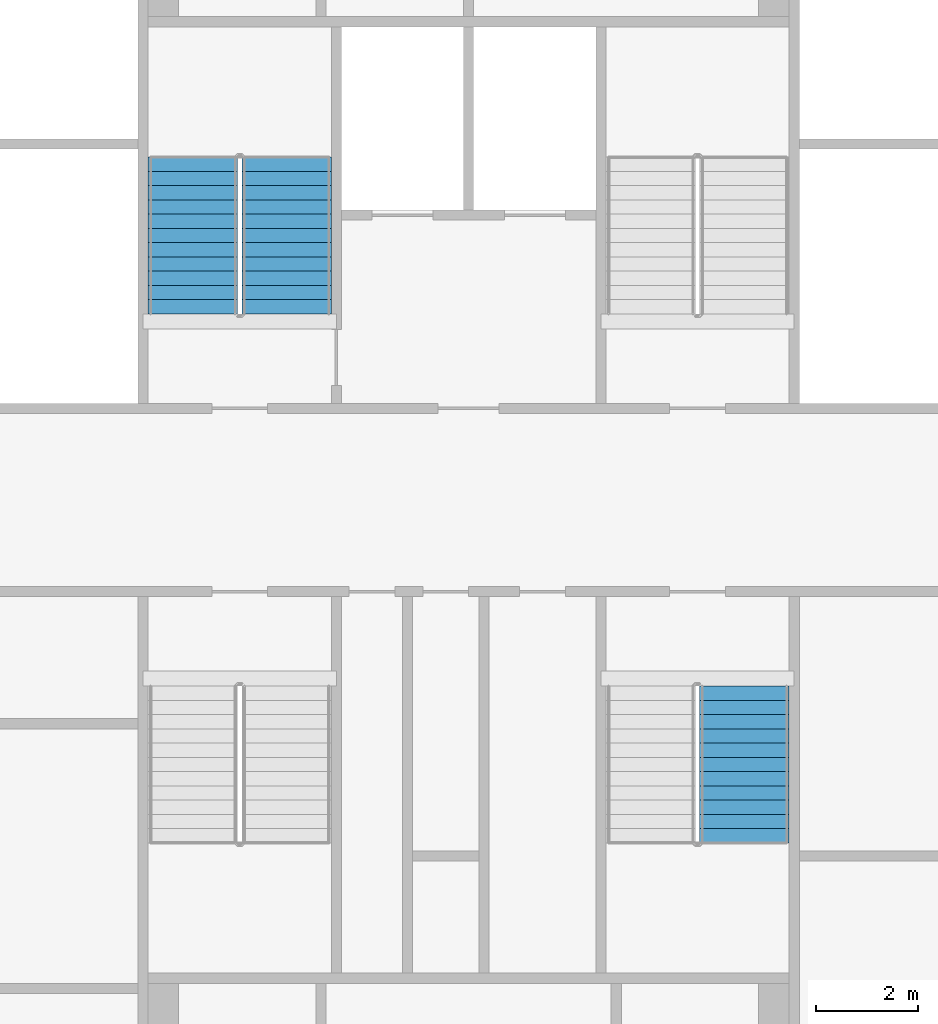
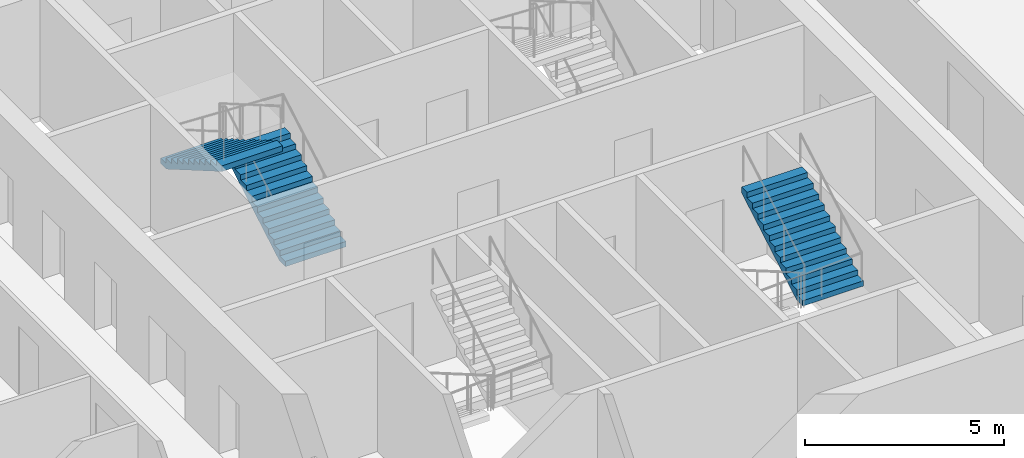
# One storey, part 9 of 15: 3 stair flights, 2 elements without a shape of their own.
"""IFC4 building model written with IfcOpenShell, lengths in metres."""

from ifc_helpers import new_model, si_unit, direction, frame, origin, place, context, subcontext, project, spatial, faceted_brep, material, type_object, element, aggregate, save


model = new_model("IFC4")

# Units and contexts
model_context = context("Model", 3, precision=1e-05, world=origin(), true_north=direction((0.0, 1.0)))
body_context = subcontext(model_context, "Body", "Model", "MODEL_VIEW")
ifc_project = project(units=[si_unit("LENGTHUNIT", "METRE"), si_unit("AREAUNIT", "SQUARE_METRE"), si_unit("VOLUMEUNIT", "CUBIC_METRE"), si_unit("PLANEANGLEUNIT", "RADIAN"), si_unit("MASSUNIT", "GRAM", prefix="KILO")], contexts=[model_context])

# Site, building, storey
site_placement = place(None, origin())
site = spatial("IfcSite", under=ifc_project, at=site_placement, CompositionType="ELEMENT")
building_placement = place(site_placement, origin())
building = spatial("IfcBuilding", under=site, at=building_placement, Name="Tarsis Ring Headquarters", CompositionType="ELEMENT")
storey_placement = place(building_placement, frame((0.0, 0.0, 282.5)))
storey = spatial("IfcBuildingStorey", under=building, at=storey_placement, Name="L66", CompositionType="ELEMENT", Elevation=282.5)

# Stair, stair flights
ifc_material_1 = material(Name="Core stair 1760")
stair_type = type_object("IfcStairType", Name="Core stair 1760", PredefinedType="HALF_TURN_STAIR", material=ifc_material_1)
stair_1_placement = place(storey_placement, origin())
stair_1 = element("IfcStair", 1, at=stair_1_placement, inside=storey, type_object=stair_type, Name="L66 Firefighting stair", PredefinedType="HALF_TURN_STAIR")
ifc_material_2 = material(Name="Concrete C40/50", Category="concrete")
stair_flight_type = type_object("IfcStairFlightType", Name="Core stair flight 1760", PredefinedType="STRAIGHT", material=ifc_material_2)
stair_flight_1_placement = place(storey_placement, frame((-3.580078125, 3.659912109375, 0.0), z_axis=(0.0, 0.0, 1.0), x_axis=(0.0, 1.0, 0.0)))
stair_flight_1 = element("IfcStairFlight", 2, at=stair_flight_1_placement, type_object=stair_flight_type, Name="Stair ST1 flight 1", NumberOfRisers=12, NumberOfTreads=11, PredefinedType="STRAIGHT", RiserHeight=0.1625, TreadLength=0.28, context=body_context, shape_type="Brep", body=[
    faceted_brep([(0.0, 0.8798828125, 0.0), (0.0, 0.8798828125, 0.16259765625), (0.280029296875, 0.8798828125, 0.16259765625), (0.280029296875, 0.8798828125, 0.324951171875), (0.56005859375, 0.8798828125, 0.324951171875), (0.56005859375, 0.8798828125, 0.487548828125), (0.840087890625, 0.8798828125, 0.487548828125), (0.840087890625, 0.8798828125, 0.64990234375), (1.1201171875, 0.8798828125, 0.64990234375), (1.1201171875, 0.8798828125, 0.8125), (1.39990234375, 0.8798828125, 0.8125), (1.39990234375, 0.8798828125, 0.97509765625), (1.679931640625, 0.8798828125, 0.97509765625), (1.679931640625, 0.8798828125, 1.137451171875), (1.9599609375, 0.8798828125, 1.137451171875), (1.9599609375, 0.8798828125, 1.300048828125), (2.239990234375, 0.8798828125, 1.300048828125), (2.239990234375, 0.8798828125, 1.46240234375), (2.52001953125, 0.8798828125, 1.46240234375), (2.52001953125, 0.8798828125, 1.625), (2.800048828125, 0.8798828125, 1.625), (2.800048828125, 0.8798828125, 1.78759765625), (3.080078125, 0.8798828125, 1.78759765625), (3.080078125, 0.8798828125, 1.6142578125), (0.298583984375, 0.8798828125, 0.0), (0.298583984375, -0.8798828125, 0.0), (3.080078125, -0.8798828125, 1.6142578125), (3.080078125, -0.8798828125, 1.78759765625), (2.800048828125, -0.8798828125, 1.78759765625), (2.800048828125, -0.8798828125, 1.625), (2.52001953125, -0.8798828125, 1.625), (2.52001953125, -0.8798828125, 1.46240234375), (2.239990234375, -0.8798828125, 1.46240234375), (2.239990234375, -0.8798828125, 1.300048828125), (1.9599609375, -0.8798828125, 1.300048828125), (1.9599609375, -0.8798828125, 1.137451171875), (1.679931640625, -0.8798828125, 1.137451171875), (1.679931640625, -0.8798828125, 0.97509765625), (1.39990234375, -0.8798828125, 0.97509765625), (1.39990234375, -0.8798828125, 0.8125), (1.1201171875, -0.8798828125, 0.8125), (1.1201171875, -0.8798828125, 0.64990234375), (0.840087890625, -0.8798828125, 0.64990234375), (0.840087890625, -0.8798828125, 0.487548828125), (0.56005859375, -0.8798828125, 0.487548828125), (0.56005859375, -0.8798828125, 0.324951171875), (0.280029296875, -0.8798828125, 0.324951171875), (0.280029296875, -0.8798828125, 0.16259765625), (0.0, -0.8798828125, 0.16259765625), (0.0, -0.8798828125, 0.0), (0.0, -0.43994140625, 0.16259765625), (0.0, -0.43994140625, 0.0), (0.0, 0.0, 0.16259765625), (0.0, 0.0, 0.0), (0.0, 0.43994140625, 0.16259765625), (0.0, 0.43994140625, 0.0), (0.280029296875, -0.43994140625, 0.16259765625), (0.280029296875, 0.0, 0.16259765625), (0.280029296875, 0.43994140625, 0.16259765625), (0.280029296875, -0.43994140625, 0.324951171875), (0.280029296875, 0.0, 0.324951171875), (0.280029296875, 0.43994140625, 0.324951171875), (0.56005859375, -0.43994140625, 0.324951171875), (0.56005859375, 0.0, 0.324951171875), (0.56005859375, 0.43994140625, 0.324951171875), (0.56005859375, -0.43994140625, 0.487548828125), (0.56005859375, 0.0, 0.487548828125), (0.56005859375, 0.43994140625, 0.487548828125), (0.840087890625, -0.43994140625, 0.487548828125), (0.840087890625, 0.0, 0.487548828125), (0.840087890625, 0.43994140625, 0.487548828125), (0.840087890625, -0.43994140625, 0.64990234375), (0.840087890625, 0.0, 0.64990234375), (0.840087890625, 0.43994140625, 0.64990234375), (1.1201171875, -0.43994140625, 0.64990234375), (1.1201171875, 0.0, 0.64990234375), (1.1201171875, 0.43994140625, 0.64990234375), (1.1201171875, -0.43994140625, 0.8125), (1.1201171875, 0.0, 0.8125), (1.1201171875, 0.43994140625, 0.8125), (1.39990234375, -0.43994140625, 0.8125), (1.39990234375, 0.0, 0.8125), (1.39990234375, 0.43994140625, 0.8125), (1.39990234375, -0.43994140625, 0.97509765625), (1.39990234375, 0.0, 0.97509765625), (1.39990234375, 0.43994140625, 0.97509765625), (1.679931640625, -0.43994140625, 0.97509765625), (1.679931640625, 0.0, 0.97509765625), (1.679931640625, 0.43994140625, 0.97509765625), (1.679931640625, -0.43994140625, 1.137451171875), (1.679931640625, 0.0, 1.137451171875), (1.679931640625, 0.43994140625, 1.137451171875), (1.9599609375, -0.43994140625, 1.137451171875), (1.9599609375, 0.0, 1.137451171875), (1.9599609375, 0.43994140625, 1.137451171875), (1.9599609375, -0.43994140625, 1.300048828125), (1.9599609375, 0.0, 1.300048828125), (1.9599609375, 0.43994140625, 1.300048828125), (2.239990234375, -0.43994140625, 1.300048828125), (2.239990234375, 0.0, 1.300048828125), (2.239990234375, 0.43994140625, 1.300048828125), (2.239990234375, -0.43994140625, 1.46240234375), (2.239990234375, 0.0, 1.46240234375), (2.239990234375, 0.43994140625, 1.46240234375), (2.52001953125, -0.43994140625, 1.46240234375), (2.52001953125, 0.0, 1.46240234375), (2.52001953125, 0.43994140625, 1.46240234375), (2.52001953125, -0.43994140625, 1.625), (2.52001953125, 0.0, 1.625), (2.52001953125, 0.43994140625, 1.625), (2.800048828125, -0.43994140625, 1.625), (2.800048828125, 0.0, 1.625), (2.800048828125, 0.43994140625, 1.625), (2.800048828125, -0.43994140625, 1.78759765625), (2.800048828125, 0.0, 1.78759765625), (2.800048828125, 0.43994140625, 1.78759765625), (3.080078125, -0.43994140625, 1.78759765625), (3.080078125, 0.0, 1.78759765625), (3.080078125, 0.43994140625, 1.78759765625), (3.080078125, -0.43994140625, 1.6142578125), (3.080078125, 0.0, 1.6142578125), (3.080078125, 0.43994140625, 1.6142578125), (0.298583984375, -0.43994140625, 0.0), (0.298583984375, 0.0, 0.0), (0.298583984375, 0.43994140625, 0.0)], [[[0, 1, 2, 3, 4, 5, 6, 7, 8, 9, 10, 11, 12, 13, 14, 15, 16, 17, 18, 19, 20, 21, 22, 23, 24]], [[25, 26, 27, 28, 29, 30, 31, 32, 33, 34, 35, 36, 37, 38, 39, 40, 41, 42, 43, 44, 45, 46, 47, 48, 49]], [[49, 48, 50, 51]], [[51, 50, 52, 53]], [[53, 52, 54, 55]], [[55, 54, 1, 0]], [[48, 47, 56, 50]], [[50, 56, 57, 52]], [[52, 57, 58, 54]], [[54, 58, 2, 1]], [[47, 46, 59, 56]], [[56, 59, 60, 57]], [[57, 60, 61, 58]], [[58, 61, 3, 2]], [[46, 45, 62, 59]], [[59, 62, 63, 60]], [[60, 63, 64, 61]], [[61, 64, 4, 3]], [[45, 44, 65, 62]], [[62, 65, 66, 63]], [[63, 66, 67, 64]], [[64, 67, 5, 4]], [[44, 43, 68, 65]], [[65, 68, 69, 66]], [[66, 69, 70, 67]], [[67, 70, 6, 5]], [[43, 42, 71, 68]], [[68, 71, 72, 69]], [[69, 72, 73, 70]], [[70, 73, 7, 6]], [[42, 41, 74, 71]], [[71, 74, 75, 72]], [[72, 75, 76, 73]], [[73, 76, 8, 7]], [[41, 40, 77, 74]], [[74, 77, 78, 75]], [[75, 78, 79, 76]], [[76, 79, 9, 8]], [[40, 39, 80, 77]], [[77, 80, 81, 78]], [[78, 81, 82, 79]], [[79, 82, 10, 9]], [[39, 38, 83, 80]], [[80, 83, 84, 81]], [[81, 84, 85, 82]], [[82, 85, 11, 10]], [[38, 37, 86, 83]], [[83, 86, 87, 84]], [[84, 87, 88, 85]], [[85, 88, 12, 11]], [[37, 36, 89, 86]], [[86, 89, 90, 87]], [[87, 90, 91, 88]], [[88, 91, 13, 12]], [[36, 35, 92, 89]], [[89, 92, 93, 90]], [[90, 93, 94, 91]], [[91, 94, 14, 13]], [[35, 34, 95, 92]], [[92, 95, 96, 93]], [[93, 96, 97, 94]], [[94, 97, 15, 14]], [[34, 33, 98, 95]], [[95, 98, 99, 96]], [[96, 99, 100, 97]], [[97, 100, 16, 15]], [[33, 32, 101, 98]], [[98, 101, 102, 99]], [[99, 102, 103, 100]], [[100, 103, 17, 16]], [[32, 31, 104, 101]], [[101, 104, 105, 102]], [[102, 105, 106, 103]], [[103, 106, 18, 17]], [[31, 30, 107, 104]], [[104, 107, 108, 105]], [[105, 108, 109, 106]], [[106, 109, 19, 18]], [[30, 29, 110, 107]], [[107, 110, 111, 108]], [[108, 111, 112, 109]], [[109, 112, 20, 19]], [[29, 28, 113, 110]], [[110, 113, 114, 111]], [[111, 114, 115, 112]], [[112, 115, 21, 20]], [[28, 27, 116, 113]], [[113, 116, 117, 114]], [[114, 117, 118, 115]], [[115, 118, 22, 21]], [[27, 26, 119, 116]], [[116, 119, 120, 117]], [[117, 120, 121, 118]], [[118, 121, 23, 22]], [[26, 25, 122, 119]], [[119, 122, 123, 120]], [[120, 123, 124, 121]], [[121, 124, 24, 23]], [[25, 49, 51, 122]], [[122, 51, 53, 123]], [[123, 53, 55, 124]], [[124, 55, 0, 24]]]),
])
stair_flight_2_placement = place(storey_placement, frame((-5.419921875, 6.739990234375, 1.949951171875), z_axis=(0.0, 0.0, 1.0), x_axis=(0.0, -1.0, 0.0)))
stair_flight_2 = element("IfcStairFlight", 3, at=stair_flight_2_placement, type_object=stair_flight_type, Name="Stair ST1 flight 2", NumberOfRisers=12, NumberOfTreads=11, PredefinedType="STRAIGHT", RiserHeight=0.1625, TreadLength=0.28, context=body_context, shape_type="Brep", body=[
    faceted_brep([(0.0, 0.8798828125, 0.0), (0.0, 0.8798828125, 0.16259765625), (0.280029296875, 0.8798828125, 0.16259765625), (0.280029296875, 0.8798828125, 0.324951171875), (0.56005859375, 0.8798828125, 0.324951171875), (0.56005859375, 0.8798828125, 0.487548828125), (0.840087890625, 0.8798828125, 0.487548828125), (0.840087890625, 0.8798828125, 0.64990234375), (1.1201171875, 0.8798828125, 0.64990234375), (1.1201171875, 0.8798828125, 0.8125), (1.39990234375, 0.8798828125, 0.8125), (1.39990234375, 0.8798828125, 0.97509765625), (1.679931640625, 0.8798828125, 0.97509765625), (1.679931640625, 0.8798828125, 1.137451171875), (1.9599609375, 0.8798828125, 1.137451171875), (1.9599609375, 0.8798828125, 1.300048828125), (2.239990234375, 0.8798828125, 1.300048828125), (2.239990234375, 0.8798828125, 1.46240234375), (2.52001953125, 0.8798828125, 1.46240234375), (2.52001953125, 0.8798828125, 1.625), (2.800048828125, 0.8798828125, 1.625), (2.800048828125, 0.8798828125, 1.78759765625), (3.080078125, 0.8798828125, 1.78759765625), (3.080078125, 0.8798828125, 1.6142578125), (0.298583984375, 0.8798828125, 0.0), (0.298583984375, -0.8798828125, 0.0), (3.080078125, -0.8798828125, 1.6142578125), (3.080078125, -0.8798828125, 1.78759765625), (2.800048828125, -0.8798828125, 1.78759765625), (2.800048828125, -0.8798828125, 1.625), (2.52001953125, -0.8798828125, 1.625), (2.52001953125, -0.8798828125, 1.46240234375), (2.239990234375, -0.8798828125, 1.46240234375), (2.239990234375, -0.8798828125, 1.300048828125), (1.9599609375, -0.8798828125, 1.300048828125), (1.9599609375, -0.8798828125, 1.137451171875), (1.679931640625, -0.8798828125, 1.137451171875), (1.679931640625, -0.8798828125, 0.97509765625), (1.39990234375, -0.8798828125, 0.97509765625), (1.39990234375, -0.8798828125, 0.8125), (1.1201171875, -0.8798828125, 0.8125), (1.1201171875, -0.8798828125, 0.64990234375), (0.840087890625, -0.8798828125, 0.64990234375), (0.840087890625, -0.8798828125, 0.487548828125), (0.56005859375, -0.8798828125, 0.487548828125), (0.56005859375, -0.8798828125, 0.324951171875), (0.280029296875, -0.8798828125, 0.324951171875), (0.280029296875, -0.8798828125, 0.16259765625), (0.0, -0.8798828125, 0.16259765625), (0.0, -0.8798828125, 0.0), (0.0, -0.43994140625, 0.16259765625), (0.0, -0.43994140625, 0.0), (0.0, 0.0, 0.16259765625), (0.0, 0.0, 0.0), (0.0, 0.43994140625, 0.16259765625), (0.0, 0.43994140625, 0.0), (0.280029296875, -0.43994140625, 0.16259765625), (0.280029296875, 0.0, 0.16259765625), (0.280029296875, 0.43994140625, 0.16259765625), (0.280029296875, -0.43994140625, 0.324951171875), (0.280029296875, 0.0, 0.324951171875), (0.280029296875, 0.43994140625, 0.324951171875), (0.56005859375, -0.43994140625, 0.324951171875), (0.56005859375, 0.0, 0.324951171875), (0.56005859375, 0.43994140625, 0.324951171875), (0.56005859375, -0.43994140625, 0.487548828125), (0.56005859375, 0.0, 0.487548828125), (0.56005859375, 0.43994140625, 0.487548828125), (0.840087890625, -0.43994140625, 0.487548828125), (0.840087890625, 0.0, 0.487548828125), (0.840087890625, 0.43994140625, 0.487548828125), (0.840087890625, -0.43994140625, 0.64990234375), (0.840087890625, 0.0, 0.64990234375), (0.840087890625, 0.43994140625, 0.64990234375), (1.1201171875, -0.43994140625, 0.64990234375), (1.1201171875, 0.0, 0.64990234375), (1.1201171875, 0.43994140625, 0.64990234375), (1.1201171875, -0.43994140625, 0.8125), (1.1201171875, 0.0, 0.8125), (1.1201171875, 0.43994140625, 0.8125), (1.39990234375, -0.43994140625, 0.8125), (1.39990234375, 0.0, 0.8125), (1.39990234375, 0.43994140625, 0.8125), (1.39990234375, -0.43994140625, 0.97509765625), (1.39990234375, 0.0, 0.97509765625), (1.39990234375, 0.43994140625, 0.97509765625), (1.679931640625, -0.43994140625, 0.97509765625), (1.679931640625, 0.0, 0.97509765625), (1.679931640625, 0.43994140625, 0.97509765625), (1.679931640625, -0.43994140625, 1.137451171875), (1.679931640625, 0.0, 1.137451171875), (1.679931640625, 0.43994140625, 1.137451171875), (1.9599609375, -0.43994140625, 1.137451171875), (1.9599609375, 0.0, 1.137451171875), (1.9599609375, 0.43994140625, 1.137451171875), (1.9599609375, -0.43994140625, 1.300048828125), (1.9599609375, 0.0, 1.300048828125), (1.9599609375, 0.43994140625, 1.300048828125), (2.239990234375, -0.43994140625, 1.300048828125), (2.239990234375, 0.0, 1.300048828125), (2.239990234375, 0.43994140625, 1.300048828125), (2.239990234375, -0.43994140625, 1.46240234375), (2.239990234375, 0.0, 1.46240234375), (2.239990234375, 0.43994140625, 1.46240234375), (2.52001953125, -0.43994140625, 1.46240234375), (2.52001953125, 0.0, 1.46240234375), (2.52001953125, 0.43994140625, 1.46240234375), (2.52001953125, -0.43994140625, 1.625), (2.52001953125, 0.0, 1.625), (2.52001953125, 0.43994140625, 1.625), (2.800048828125, -0.43994140625, 1.625), (2.800048828125, 0.0, 1.625), (2.800048828125, 0.43994140625, 1.625), (2.800048828125, -0.43994140625, 1.78759765625), (2.800048828125, 0.0, 1.78759765625), (2.800048828125, 0.43994140625, 1.78759765625), (3.080078125, -0.43994140625, 1.78759765625), (3.080078125, 0.0, 1.78759765625), (3.080078125, 0.43994140625, 1.78759765625), (3.080078125, -0.43994140625, 1.6142578125), (3.080078125, 0.0, 1.6142578125), (3.080078125, 0.43994140625, 1.6142578125), (0.298583984375, -0.43994140625, 0.0), (0.298583984375, 0.0, 0.0), (0.298583984375, 0.43994140625, 0.0)], [[[0, 1, 2, 3, 4, 5, 6, 7, 8, 9, 10, 11, 12, 13, 14, 15, 16, 17, 18, 19, 20, 21, 22, 23, 24]], [[25, 26, 27, 28, 29, 30, 31, 32, 33, 34, 35, 36, 37, 38, 39, 40, 41, 42, 43, 44, 45, 46, 47, 48, 49]], [[49, 48, 50, 51]], [[51, 50, 52, 53]], [[53, 52, 54, 55]], [[55, 54, 1, 0]], [[48, 47, 56, 50]], [[50, 56, 57, 52]], [[52, 57, 58, 54]], [[54, 58, 2, 1]], [[47, 46, 59, 56]], [[56, 59, 60, 57]], [[57, 60, 61, 58]], [[58, 61, 3, 2]], [[46, 45, 62, 59]], [[59, 62, 63, 60]], [[60, 63, 64, 61]], [[61, 64, 4, 3]], [[45, 44, 65, 62]], [[62, 65, 66, 63]], [[63, 66, 67, 64]], [[64, 67, 5, 4]], [[44, 43, 68, 65]], [[65, 68, 69, 66]], [[66, 69, 70, 67]], [[67, 70, 6, 5]], [[43, 42, 71, 68]], [[68, 71, 72, 69]], [[69, 72, 73, 70]], [[70, 73, 7, 6]], [[42, 41, 74, 71]], [[71, 74, 75, 72]], [[72, 75, 76, 73]], [[73, 76, 8, 7]], [[41, 40, 77, 74]], [[74, 77, 78, 75]], [[75, 78, 79, 76]], [[76, 79, 9, 8]], [[40, 39, 80, 77]], [[77, 80, 81, 78]], [[78, 81, 82, 79]], [[79, 82, 10, 9]], [[39, 38, 83, 80]], [[80, 83, 84, 81]], [[81, 84, 85, 82]], [[82, 85, 11, 10]], [[38, 37, 86, 83]], [[83, 86, 87, 84]], [[84, 87, 88, 85]], [[85, 88, 12, 11]], [[37, 36, 89, 86]], [[86, 89, 90, 87]], [[87, 90, 91, 88]], [[88, 91, 13, 12]], [[36, 35, 92, 89]], [[89, 92, 93, 90]], [[90, 93, 94, 91]], [[91, 94, 14, 13]], [[35, 34, 95, 92]], [[92, 95, 96, 93]], [[93, 96, 97, 94]], [[94, 97, 15, 14]], [[34, 33, 98, 95]], [[95, 98, 99, 96]], [[96, 99, 100, 97]], [[97, 100, 16, 15]], [[33, 32, 101, 98]], [[98, 101, 102, 99]], [[99, 102, 103, 100]], [[100, 103, 17, 16]], [[32, 31, 104, 101]], [[101, 104, 105, 102]], [[102, 105, 106, 103]], [[103, 106, 18, 17]], [[31, 30, 107, 104]], [[104, 107, 108, 105]], [[105, 108, 109, 106]], [[106, 109, 19, 18]], [[30, 29, 110, 107]], [[107, 110, 111, 108]], [[108, 111, 112, 109]], [[109, 112, 20, 19]], [[29, 28, 113, 110]], [[110, 113, 114, 111]], [[111, 114, 115, 112]], [[112, 115, 21, 20]], [[28, 27, 116, 113]], [[113, 116, 117, 114]], [[114, 117, 118, 115]], [[115, 118, 22, 21]], [[27, 26, 119, 116]], [[116, 119, 120, 117]], [[117, 120, 121, 118]], [[118, 121, 23, 22]], [[26, 25, 122, 119]], [[119, 122, 123, 120]], [[120, 123, 124, 121]], [[121, 124, 24, 23]], [[25, 49, 51, 122]], [[122, 51, 53, 123]], [[123, 53, 55, 124]], [[124, 55, 0, 24]]]),
])
aggregate(stair_1, [stair_flight_1, stair_flight_2])

# Stair, stair flight
stair_2_placement = place(storey_placement, origin())
stair_2 = element("IfcStair", 4, at=stair_2_placement, inside=storey, type_object=stair_type, Name="L66 Exit stair D", PredefinedType="HALF_TURN_STAIR")
stair_flight_3_placement = place(storey_placement, frame((5.419921875, -6.739990234375, 1.949951171875), z_axis=(0.0, 0.0, 1.0), x_axis=(0.0, 1.0, 0.0)))
stair_flight_3 = element("IfcStairFlight", 5, at=stair_flight_3_placement, type_object=stair_flight_type, Name="Stair ST4 flight 2", NumberOfRisers=12, NumberOfTreads=11, PredefinedType="STRAIGHT", RiserHeight=0.1625, TreadLength=0.28, context=body_context, shape_type="Brep", body=[
    faceted_brep([(0.0, 0.8798828125, 0.0), (0.0, 0.8798828125, 0.16259765625), (0.280029296875, 0.8798828125, 0.16259765625), (0.280029296875, 0.8798828125, 0.324951171875), (0.56005859375, 0.8798828125, 0.324951171875), (0.56005859375, 0.8798828125, 0.487548828125), (0.840087890625, 0.8798828125, 0.487548828125), (0.840087890625, 0.8798828125, 0.64990234375), (1.1201171875, 0.8798828125, 0.64990234375), (1.1201171875, 0.8798828125, 0.8125), (1.39990234375, 0.8798828125, 0.8125), (1.39990234375, 0.8798828125, 0.97509765625), (1.679931640625, 0.8798828125, 0.97509765625), (1.679931640625, 0.8798828125, 1.137451171875), (1.9599609375, 0.8798828125, 1.137451171875), (1.9599609375, 0.8798828125, 1.300048828125), (2.239990234375, 0.8798828125, 1.300048828125), (2.239990234375, 0.8798828125, 1.46240234375), (2.52001953125, 0.8798828125, 1.46240234375), (2.52001953125, 0.8798828125, 1.625), (2.800048828125, 0.8798828125, 1.625), (2.800048828125, 0.8798828125, 1.78759765625), (3.080078125, 0.8798828125, 1.78759765625), (3.080078125, 0.8798828125, 1.6142578125), (0.298583984375, 0.8798828125, 0.0), (0.298583984375, -0.8798828125, 0.0), (3.080078125, -0.8798828125, 1.6142578125), (3.080078125, -0.8798828125, 1.78759765625), (2.800048828125, -0.8798828125, 1.78759765625), (2.800048828125, -0.8798828125, 1.625), (2.52001953125, -0.8798828125, 1.625), (2.52001953125, -0.8798828125, 1.46240234375), (2.239990234375, -0.8798828125, 1.46240234375), (2.239990234375, -0.8798828125, 1.300048828125), (1.9599609375, -0.8798828125, 1.300048828125), (1.9599609375, -0.8798828125, 1.137451171875), (1.679931640625, -0.8798828125, 1.137451171875), (1.679931640625, -0.8798828125, 0.97509765625), (1.39990234375, -0.8798828125, 0.97509765625), (1.39990234375, -0.8798828125, 0.8125), (1.1201171875, -0.8798828125, 0.8125), (1.1201171875, -0.8798828125, 0.64990234375), (0.840087890625, -0.8798828125, 0.64990234375), (0.840087890625, -0.8798828125, 0.487548828125), (0.56005859375, -0.8798828125, 0.487548828125), (0.56005859375, -0.8798828125, 0.324951171875), (0.280029296875, -0.8798828125, 0.324951171875), (0.280029296875, -0.8798828125, 0.16259765625), (0.0, -0.8798828125, 0.16259765625), (0.0, -0.8798828125, 0.0), (0.0, -0.43994140625, 0.16259765625), (0.0, -0.43994140625, 0.0), (0.0, 0.0, 0.16259765625), (0.0, 0.0, 0.0), (0.0, 0.43994140625, 0.16259765625), (0.0, 0.43994140625, 0.0), (0.280029296875, -0.43994140625, 0.16259765625), (0.280029296875, 0.0, 0.16259765625), (0.280029296875, 0.43994140625, 0.16259765625), (0.280029296875, -0.43994140625, 0.324951171875), (0.280029296875, 0.0, 0.324951171875), (0.280029296875, 0.43994140625, 0.324951171875), (0.56005859375, -0.43994140625, 0.324951171875), (0.56005859375, 0.0, 0.324951171875), (0.56005859375, 0.43994140625, 0.324951171875), (0.56005859375, -0.43994140625, 0.487548828125), (0.56005859375, 0.0, 0.487548828125), (0.56005859375, 0.43994140625, 0.487548828125), (0.840087890625, -0.43994140625, 0.487548828125), (0.840087890625, 0.0, 0.487548828125), (0.840087890625, 0.43994140625, 0.487548828125), (0.840087890625, -0.43994140625, 0.64990234375), (0.840087890625, 0.0, 0.64990234375), (0.840087890625, 0.43994140625, 0.64990234375), (1.1201171875, -0.43994140625, 0.64990234375), (1.1201171875, 0.0, 0.64990234375), (1.1201171875, 0.43994140625, 0.64990234375), (1.1201171875, -0.43994140625, 0.8125), (1.1201171875, 0.0, 0.8125), (1.1201171875, 0.43994140625, 0.8125), (1.39990234375, -0.43994140625, 0.8125), (1.39990234375, 0.0, 0.8125), (1.39990234375, 0.43994140625, 0.8125), (1.39990234375, -0.43994140625, 0.97509765625), (1.39990234375, 0.0, 0.97509765625), (1.39990234375, 0.43994140625, 0.97509765625), (1.679931640625, -0.43994140625, 0.97509765625), (1.679931640625, 0.0, 0.97509765625), (1.679931640625, 0.43994140625, 0.97509765625), (1.679931640625, -0.43994140625, 1.137451171875), (1.679931640625, 0.0, 1.137451171875), (1.679931640625, 0.43994140625, 1.137451171875), (1.9599609375, -0.43994140625, 1.137451171875), (1.9599609375, 0.0, 1.137451171875), (1.9599609375, 0.43994140625, 1.137451171875), (1.9599609375, -0.43994140625, 1.300048828125), (1.9599609375, 0.0, 1.300048828125), (1.9599609375, 0.43994140625, 1.300048828125), (2.239990234375, -0.43994140625, 1.300048828125), (2.239990234375, 0.0, 1.300048828125), (2.239990234375, 0.43994140625, 1.300048828125), (2.239990234375, -0.43994140625, 1.46240234375), (2.239990234375, 0.0, 1.46240234375), (2.239990234375, 0.43994140625, 1.46240234375), (2.52001953125, -0.43994140625, 1.46240234375), (2.52001953125, 0.0, 1.46240234375), (2.52001953125, 0.43994140625, 1.46240234375), (2.52001953125, -0.43994140625, 1.625), (2.52001953125, 0.0, 1.625), (2.52001953125, 0.43994140625, 1.625), (2.800048828125, -0.43994140625, 1.625), (2.800048828125, 0.0, 1.625), (2.800048828125, 0.43994140625, 1.625), (2.800048828125, -0.43994140625, 1.78759765625), (2.800048828125, 0.0, 1.78759765625), (2.800048828125, 0.43994140625, 1.78759765625), (3.080078125, -0.43994140625, 1.78759765625), (3.080078125, 0.0, 1.78759765625), (3.080078125, 0.43994140625, 1.78759765625), (3.080078125, -0.43994140625, 1.6142578125), (3.080078125, 0.0, 1.6142578125), (3.080078125, 0.43994140625, 1.6142578125), (0.298583984375, -0.43994140625, 0.0), (0.298583984375, 0.0, 0.0), (0.298583984375, 0.43994140625, 0.0)], [[[0, 1, 2, 3, 4, 5, 6, 7, 8, 9, 10, 11, 12, 13, 14, 15, 16, 17, 18, 19, 20, 21, 22, 23, 24]], [[25, 26, 27, 28, 29, 30, 31, 32, 33, 34, 35, 36, 37, 38, 39, 40, 41, 42, 43, 44, 45, 46, 47, 48, 49]], [[49, 48, 50, 51]], [[51, 50, 52, 53]], [[53, 52, 54, 55]], [[55, 54, 1, 0]], [[48, 47, 56, 50]], [[50, 56, 57, 52]], [[52, 57, 58, 54]], [[54, 58, 2, 1]], [[47, 46, 59, 56]], [[56, 59, 60, 57]], [[57, 60, 61, 58]], [[58, 61, 3, 2]], [[46, 45, 62, 59]], [[59, 62, 63, 60]], [[60, 63, 64, 61]], [[61, 64, 4, 3]], [[45, 44, 65, 62]], [[62, 65, 66, 63]], [[63, 66, 67, 64]], [[64, 67, 5, 4]], [[44, 43, 68, 65]], [[65, 68, 69, 66]], [[66, 69, 70, 67]], [[67, 70, 6, 5]], [[43, 42, 71, 68]], [[68, 71, 72, 69]], [[69, 72, 73, 70]], [[70, 73, 7, 6]], [[42, 41, 74, 71]], [[71, 74, 75, 72]], [[72, 75, 76, 73]], [[73, 76, 8, 7]], [[41, 40, 77, 74]], [[74, 77, 78, 75]], [[75, 78, 79, 76]], [[76, 79, 9, 8]], [[40, 39, 80, 77]], [[77, 80, 81, 78]], [[78, 81, 82, 79]], [[79, 82, 10, 9]], [[39, 38, 83, 80]], [[80, 83, 84, 81]], [[81, 84, 85, 82]], [[82, 85, 11, 10]], [[38, 37, 86, 83]], [[83, 86, 87, 84]], [[84, 87, 88, 85]], [[85, 88, 12, 11]], [[37, 36, 89, 86]], [[86, 89, 90, 87]], [[87, 90, 91, 88]], [[88, 91, 13, 12]], [[36, 35, 92, 89]], [[89, 92, 93, 90]], [[90, 93, 94, 91]], [[91, 94, 14, 13]], [[35, 34, 95, 92]], [[92, 95, 96, 93]], [[93, 96, 97, 94]], [[94, 97, 15, 14]], [[34, 33, 98, 95]], [[95, 98, 99, 96]], [[96, 99, 100, 97]], [[97, 100, 16, 15]], [[33, 32, 101, 98]], [[98, 101, 102, 99]], [[99, 102, 103, 100]], [[100, 103, 17, 16]], [[32, 31, 104, 101]], [[101, 104, 105, 102]], [[102, 105, 106, 103]], [[103, 106, 18, 17]], [[31, 30, 107, 104]], [[104, 107, 108, 105]], [[105, 108, 109, 106]], [[106, 109, 19, 18]], [[30, 29, 110, 107]], [[107, 110, 111, 108]], [[108, 111, 112, 109]], [[109, 112, 20, 19]], [[29, 28, 113, 110]], [[110, 113, 114, 111]], [[111, 114, 115, 112]], [[112, 115, 21, 20]], [[28, 27, 116, 113]], [[113, 116, 117, 114]], [[114, 117, 118, 115]], [[115, 118, 22, 21]], [[27, 26, 119, 116]], [[116, 119, 120, 117]], [[117, 120, 121, 118]], [[118, 121, 23, 22]], [[26, 25, 122, 119]], [[119, 122, 123, 120]], [[120, 123, 124, 121]], [[121, 124, 24, 23]], [[25, 49, 51, 122]], [[122, 51, 53, 123]], [[123, 53, 55, 124]], [[124, 55, 0, 24]]]),
])
aggregate(stair_2, [stair_flight_3])

save(model, "model.ifc")
